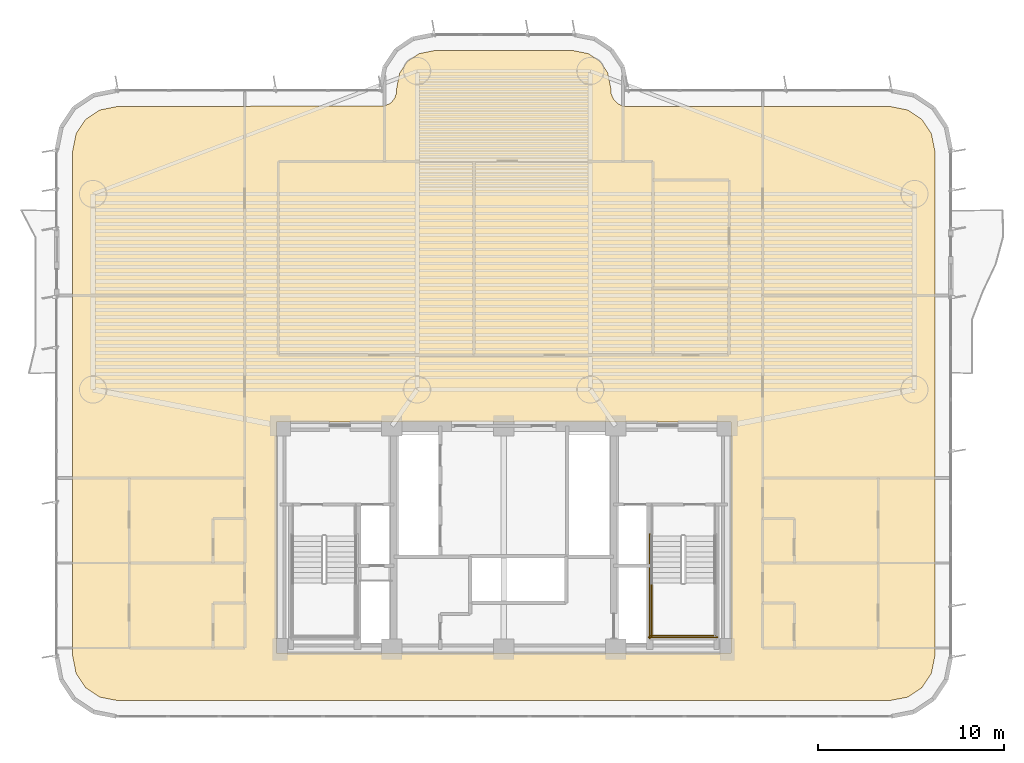
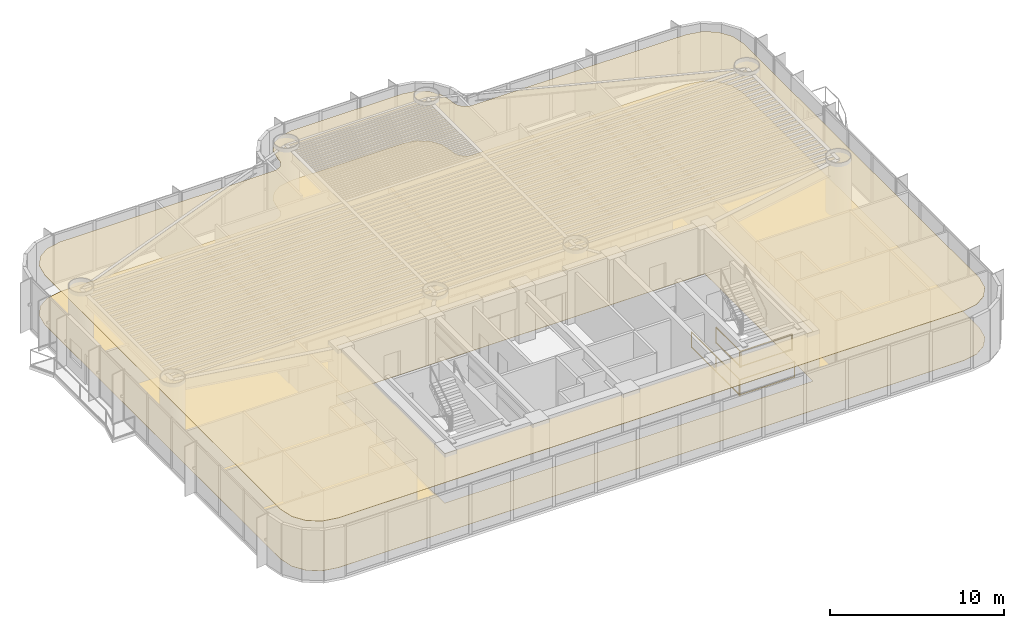
# One storey, part 15 of 17: 4 railings, 2 coverings.
"""IFC4 building model written with IfcOpenShell, lengths in metres."""

from ifc_helpers import new_model, si_unit, direction, frame, origin, origin_2d, place, context, subcontext, project, spatial, polyline, rectangle, outline, extrude, material, layer, layer_set, type_object, element, save


model = new_model("IFC4")

# Units and contexts
model_context = context("Model", 3, precision=1e-05, world=origin(), true_north=direction((0.0, 1.0)))
body_context = subcontext(model_context, "Body", "Model", "MODEL_VIEW")
ifc_project = project(units=[si_unit("LENGTHUNIT", "METRE"), si_unit("AREAUNIT", "SQUARE_METRE"), si_unit("VOLUMEUNIT", "CUBIC_METRE"), si_unit("PLANEANGLEUNIT", "RADIAN"), si_unit("MASSUNIT", "GRAM", prefix="KILO")], contexts=[model_context])

# Site, building, storey
site_placement = place(None, origin())
site = spatial("IfcSite", under=ifc_project, at=site_placement, CompositionType="ELEMENT")
building_placement = place(site_placement, origin())
building = spatial("IfcBuilding", under=site, at=building_placement, Name="Brelvock Crest Care Tower", CompositionType="ELEMENT")
storey_placement = place(building_placement, frame((0.0, 0.0, 49.679931640625)))
storey = spatial("IfcBuildingStorey", under=building, at=storey_placement, Name="L12", CompositionType="ELEMENT", Elevation=49.679931640625)

# Coverings
ifc_material_1 = material(Name="Mineral Fibre Acoustic Ceiling Tile", Category="gypsum")
ifc_layer_1 = layer(ifc_material_1, 0.02490234375, Name="COV-CLG1")
ifc_layer_set_1 = layer_set([ifc_layer_1], Name="Mineral Fibre Acoustic Ceiling Tile")
covering_type_1 = type_object("IfcCoveringType", Name="COV-CLG1", PredefinedType="CEILING", material=ifc_layer_set_1)
covering_1_placement = place(storey_placement, frame((0.0, 0.0, 3.47509765625)))
element("IfcCovering", 1, at=covering_1_placement, inside=storey, type_object=covering_type_1, Name="L12 Acoustic Suspended Ceiling 1", PredefinedType="CEILING", context=body_context, shape_type="SweptSolid", body=[
    extrude(outline(polyline([(56.71630859375, 35.14990234375), (42.5166015625, 35.154052734375), (42.353271484375, 35.1865234375), (42.127685546875, 35.293212890625), (41.893310546875, 35.52783203125), (41.766357421875, 35.834228515625), (41.75, 36.1162109375), (41.586181640625, 36.939697265625), (41.1669921875, 37.567138671875), (40.539794921875, 37.986083984375), (39.71630859375, 38.14990234375), (32.28369140625, 38.14990234375), (31.460205078125, 37.986083984375), (30.8330078125, 37.567138671875), (30.413818359375, 36.939697265625), (30.25, 36.1162109375), (30.233642578125, 35.834228515625), (30.149658203125, 35.599365234375), (30.0009765625, 35.39892578125), (29.872314453125, 35.293212890625), (29.56591796875, 35.166259765625), (15.28369140625, 35.14990234375), (14.30712890625, 34.955810546875), (13.550048828125, 34.449951171875), (13.044189453125, 33.69287109375), (12.85009765625, 32.71630859375), (12.85009765625, 5.68359375), (13.044189453125, 4.70703125), (13.550048828125, 3.9501953125), (14.30712890625, 3.4443359375), (15.28369140625, 3.25), (56.71630859375, 3.25), (57.69287109375, 3.4443359375), (58.449951171875, 3.9501953125), (58.955810546875, 4.70703125), (59.14990234375, 5.68359375), (59.14990234375, 32.71630859375), (58.955810546875, 33.69287109375), (58.449951171875, 34.449951171875), (57.69287109375, 34.955810546875), (56.71630859375, 35.14990234375)]), holes=[polyline([(48.199951171875, 5.800048828125), (48.199951171875, 18.199951171875), (23.800048828125, 18.199951171875), (23.800048828125, 5.800048828125), (48.199951171875, 5.800048828125)])]), origin(), (0.0, 0.0, 1.0), 0.02490234375),
])
ifc_material_2 = material(Name="Slip-Resistant Acoustic Vinyl Flooring", Category="finish")
ifc_layer_2 = layer(ifc_material_2, 0.014892578125, Name="COV-FLR1")
ifc_layer_set_2 = layer_set([ifc_layer_2], Name="Slip-Resistant Acoustic Vinyl Flooring")
covering_type_2 = type_object("IfcCoveringType", Name="COV-FLR1", PredefinedType="FLOORING", material=ifc_layer_set_2)
covering_2_placement = place(storey_placement, origin())
element("IfcCovering", 2, at=covering_2_placement, inside=storey, type_object=covering_type_2, Name="L12 Slip-Resistant Acoustic Flooring 1", PredefinedType="FLOORING", context=body_context, shape_type="SweptSolid", body=[
    extrude(outline(polyline([(56.71630859375, 35.14990234375), (42.5166015625, 35.154052734375), (42.353271484375, 35.1865234375), (42.127685546875, 35.293212890625), (41.893310546875, 35.52783203125), (41.766357421875, 35.834228515625), (41.75, 36.1162109375), (41.586181640625, 36.939697265625), (41.1669921875, 37.567138671875), (40.539794921875, 37.986083984375), (39.71630859375, 38.14990234375), (32.28369140625, 38.14990234375), (31.460205078125, 37.986083984375), (30.8330078125, 37.567138671875), (30.413818359375, 36.939697265625), (30.25, 36.1162109375), (30.233642578125, 35.834228515625), (30.149658203125, 35.599365234375), (30.0009765625, 35.39892578125), (29.872314453125, 35.293212890625), (29.56591796875, 35.166259765625), (15.28369140625, 35.14990234375), (14.30712890625, 34.955810546875), (13.550048828125, 34.449951171875), (13.044189453125, 33.69287109375), (12.85009765625, 32.71630859375), (12.85009765625, 5.68359375), (13.044189453125, 4.70703125), (13.550048828125, 3.9501953125), (14.30712890625, 3.4443359375), (15.28369140625, 3.25), (56.71630859375, 3.25), (57.69287109375, 3.4443359375), (58.449951171875, 3.9501953125), (58.955810546875, 4.70703125), (59.14990234375, 5.68359375), (59.14990234375, 32.71630859375), (58.955810546875, 33.69287109375), (58.449951171875, 34.449951171875), (57.69287109375, 34.955810546875), (56.71630859375, 35.14990234375)]), holes=[polyline([(48.199951171875, 5.800048828125), (48.199951171875, 18.199951171875), (23.800048828125, 18.199951171875), (23.800048828125, 5.800048828125), (48.199951171875, 5.800048828125)])]), origin(), (0.0, 0.0, 1.0), 0.01513671875),
])

# Railings
ifc_material_3 = material(Name="Steel Grade 350", Category="steel")
ifc_layer_3 = layer(ifc_material_3, 0.050048828125, Name="RL-STG1")
ifc_layer_set_3 = layer_set([ifc_layer_3], Name="Steel Grade 350")
railing_type = type_object("IfcRailingType", Name="RL-STG1", PredefinedType="GUARDRAIL", material=ifc_layer_set_3)
railing_1_placement = place(storey_placement, frame((43.93994140625, 9.56005859375, 1.89013671875)))
element("IfcRailing", 3, at=railing_1_placement, inside=storey, type_object=railing_type, Name="L12 ST-2 stair guard 3", PredefinedType="GUARDRAIL", context=body_context, shape_type="SweptSolid", body=[
    extrude(rectangle(XDim=0.048095703125, YDim=0.048095703125, at=origin_2d()), frame((0.0, -0.001953125, 1.11572265625), z_axis=(0.0, -1.0, 0.0), x_axis=(1.0, 0.0, 0.0)), (0.0, 0.0, 1.0), 2.856201171875),
    extrude(rectangle(XDim=0.048095703125, YDim=0.048095703125, at=origin_2d()), frame((0.0, -0.001953125, 0.054931640625), z_axis=(0.0, -1.0, 0.0), x_axis=(1.0, 0.0, 0.0)), (0.0, 0.0, 1.0), 2.856201171875),
    extrude(rectangle(XDim=0.0419921875, YDim=0.0419921875, at=origin_2d()), origin(), (0.0, 0.0, 1.0), 1.08984375),
    extrude(rectangle(XDim=0.0419921875, YDim=0.0419921875, at=origin_2d()), frame((0.0, -2.860107421875, 0.0)), (0.0, 0.0, 1.0), 1.08984375),
])
railing_2_placement = place(storey_placement, frame((43.889892578125, 6.75, 1.89013671875)))
element("IfcRailing", 4, at=railing_2_placement, inside=storey, type_object=railing_type, Name="L12 ST-2 stair guard 5", PredefinedType="GUARDRAIL", context=body_context, shape_type="SweptSolid", body=[
    extrude(rectangle(XDim=0.048095703125, YDim=0.048095703125, at=origin_2d()), frame((0.001953125, 0.0, 1.11572265625), z_axis=(1.0, 0.0, 0.0), x_axis=(0.0, 1.0, 0.0)), (0.0, 0.0, 1.0), 3.476318359375),
    extrude(rectangle(XDim=0.048095703125, YDim=0.048095703125, at=origin_2d()), frame((0.001953125, 0.0, 0.054931640625), z_axis=(1.0, 0.0, 0.0), x_axis=(0.0, 1.0, 0.0)), (0.0, 0.0, 1.0), 3.476318359375),
    extrude(rectangle(XDim=0.0419921875, YDim=0.0419921875, at=origin_2d()), origin(), (0.0, 0.0, 1.0), 1.08984375),
    extrude(rectangle(XDim=0.0419921875, YDim=0.0419921875, at=origin_2d()), frame((3.480224609375, 0.0, 0.0)), (0.0, 0.0, 1.0), 1.08984375),
])
railing_3_placement = place(storey_placement, frame((43.840087890625, 12.179931640625, 0.0)))
element("IfcRailing", 5, at=railing_3_placement, inside=storey, type_object=railing_type, Name="L12 ST-2 stair guard 10", PredefinedType="GUARDRAIL", context=body_context, shape_type="SweptSolid", body=[
    extrude(rectangle(XDim=0.048095703125, YDim=0.048095703125, at=origin_2d()), frame((0.0, -0.001953125, 1.11572265625), z_axis=(0.0, -1.0, 0.0), x_axis=(1.0, 0.0, 0.0)), (0.0, 0.0, 1.0), 5.575927734375),
    extrude(rectangle(XDim=0.048095703125, YDim=0.048095703125, at=origin_2d()), frame((0.0, -0.001953125, 0.054931640625), z_axis=(0.0, -1.0, 0.0), x_axis=(1.0, 0.0, 0.0)), (0.0, 0.0, 1.0), 5.575927734375),
    extrude(rectangle(XDim=0.0419921875, YDim=0.0419921875, at=origin_2d()), origin(), (0.0, 0.0, 1.0), 1.08984375),
    extrude(rectangle(XDim=0.0419921875, YDim=0.0419921875, at=origin_2d()), frame((0.0, -2.7900390625, 0.0)), (0.0, 0.0, 1.0), 1.08984375),
    extrude(rectangle(XDim=0.0419921875, YDim=0.0419921875, at=origin_2d()), frame((0.0, -5.579833984375, 0.0)), (0.0, 0.0, 1.0), 1.08984375),
])
railing_4_placement = place(storey_placement, frame((43.7900390625, 6.64990234375, 0.0)))
element("IfcRailing", 6, at=railing_4_placement, inside=storey, type_object=railing_type, Name="L12 ST-2 stair guard 12", PredefinedType="GUARDRAIL", context=body_context, shape_type="SweptSolid", body=[
    extrude(rectangle(XDim=0.048095703125, YDim=0.048095703125, at=origin_2d()), frame((0.001953125, 0.0, 1.11572265625), z_axis=(1.0, 0.0, 0.0), x_axis=(0.0, 1.0, 0.0)), (0.0, 0.0, 1.0), 3.676025390625),
    extrude(rectangle(XDim=0.048095703125, YDim=0.048095703125, at=origin_2d()), frame((0.001953125, 0.0, 0.054931640625), z_axis=(1.0, 0.0, 0.0), x_axis=(0.0, 1.0, 0.0)), (0.0, 0.0, 1.0), 3.676025390625),
    extrude(rectangle(XDim=0.0419921875, YDim=0.0419921875, at=origin_2d()), origin(), (0.0, 0.0, 1.0), 1.08984375),
    extrude(rectangle(XDim=0.0419921875, YDim=0.0419921875, at=origin_2d()), frame((3.679931640625, 0.0, 0.0)), (0.0, 0.0, 1.0), 1.08984375),
])

save(model, "model.ifc")
